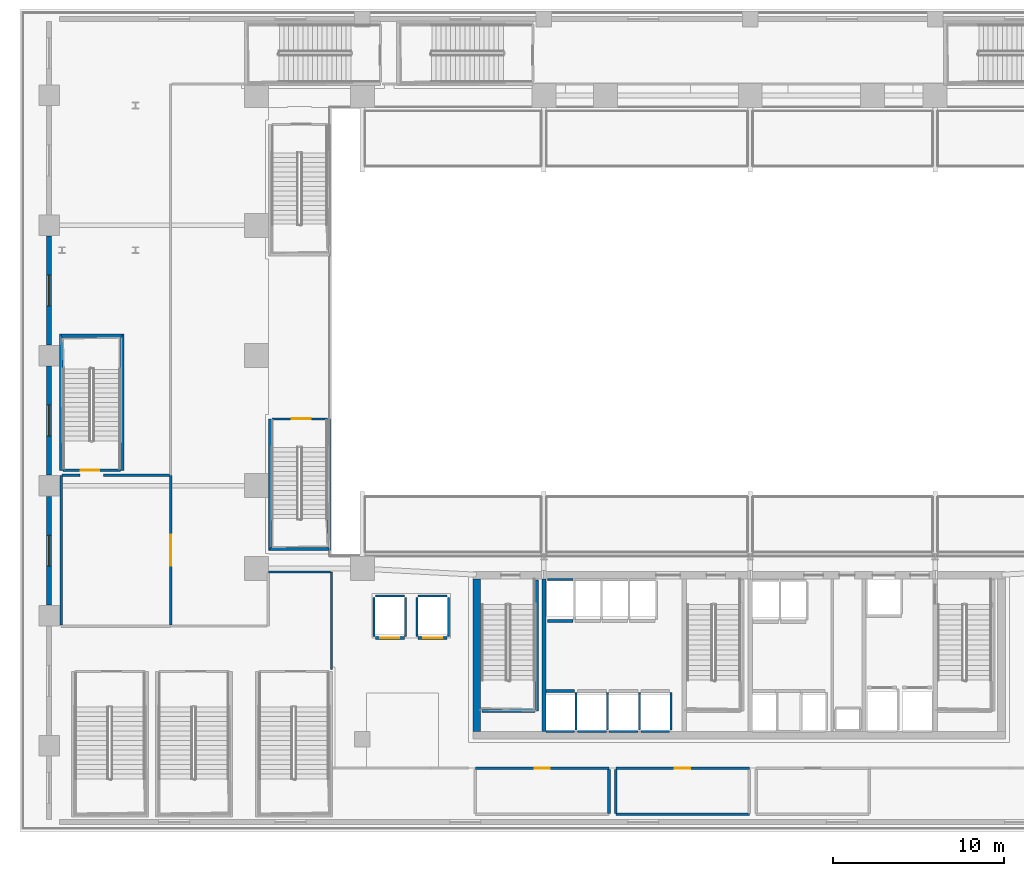
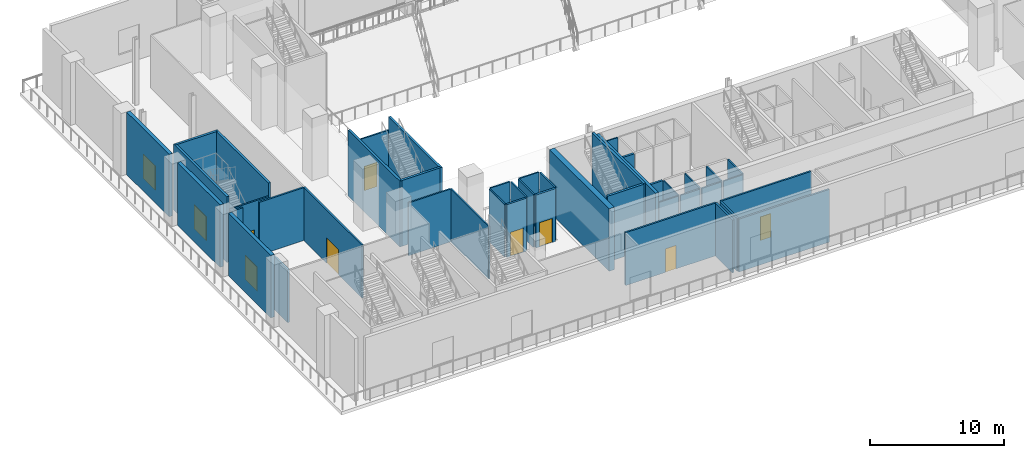
# One storey, part 7 of 30: 45 walls, 7 doors, 3 windows, 10 openings.
"""IFC4 building model written with IfcOpenShell, lengths in metres."""

from ifc_helpers import new_model, si_unit, direction, frame, frame_2d, origin, place, context, subcontext, project, spatial, rectangle, extrude, material, layer, layer_set, type_object, element, fill, save


model = new_model("IFC4")

# Units and contexts
model_context = context("Model", 3, precision=1e-05, world=origin(), true_north=direction((0.0, 1.0)))
body_context = subcontext(model_context, "Body", "Model", "MODEL_VIEW")
ifc_project = project(units=[si_unit("LENGTHUNIT", "METRE"), si_unit("AREAUNIT", "SQUARE_METRE"), si_unit("VOLUMEUNIT", "CUBIC_METRE"), si_unit("PLANEANGLEUNIT", "RADIAN"), si_unit("MASSUNIT", "GRAM", prefix="KILO")], contexts=[model_context])

# Site, building, storey
site_placement = place(None, origin())
site = spatial("IfcSite", under=ifc_project, at=site_placement, CompositionType="ELEMENT")
building_placement = place(site_placement, origin())
building = spatial("IfcBuilding", under=site, at=building_placement, Name="Ndaravel Arena Tower", CompositionType="ELEMENT")
storey_placement = place(building_placement, frame((0.0, 0.0, 6.0)))
storey = spatial("IfcBuildingStorey", under=building, at=storey_placement, Name="L01", CompositionType="ELEMENT", Elevation=6.0)

# Walls
ifc_material_1 = material(Name="Concrete C60/75", Category="concrete")
ifc_layer_1 = layer(ifc_material_1, 0.25)
ifc_layer_set_1 = layer_set([ifc_layer_1], Name="Concrete C60/75")
wall_type_1 = type_object("IfcWallType", Name="WALL-CORE-250", PredefinedType="SOLIDWALL", material=ifc_layer_set_1)
wall_1_placement = place(storey_placement, frame((30.60009765625, 5.85009765625, 0.0), z_axis=(0.0, 0.0, 1.0), x_axis=(0.0, 1.0, 0.0)))
element("IfcWall", 1, at=wall_1_placement, inside=storey, type_object=wall_type_1, Name="L01 Core Web Shear Wall 1", PredefinedType="SOLIDWALL", context=body_context, shape_type="SweptSolid", body=[
    extrude(rectangle(XDim=8.89990234375, YDim=0.25, at=frame_2d((4.449951171875, 0.0))), origin(), (0.0, 0.0, 1.0), 5.699951171875),
])
ifc_material_2 = material(Name="Concrete C60/75", Category="concrete")
ifc_layer_2 = layer(ifc_material_2, 0.449951171875)
ifc_layer_set_2 = layer_set([ifc_layer_2], Name="Concrete C60/75")
wall_type_2 = type_object("IfcWallType", Name="WALL-CORE-450", PredefinedType="SOLIDWALL", material=ifc_layer_set_2)
wall_2_placement = place(storey_placement, frame((26.675048828125, 5.85009765625, 0.0), z_axis=(0.0, 0.0, 1.0), x_axis=(0.0, 1.0, 0.0)))
element("IfcWall", 2, at=wall_2_placement, inside=storey, type_object=wall_type_2, Name="L01 Core West Shear Wall", PredefinedType="SOLIDWALL", context=body_context, shape_type="SweptSolid", body=[
    extrude(rectangle(XDim=8.89990234375, YDim=0.449951171875, at=frame_2d((4.449951171875, 0.0))), origin(), (0.0, 0.0, 1.0), 5.699951171875),
])
ifc_material_3 = material(Name="Gypsum", Category="gypsum")
ifc_layer_3 = layer(ifc_material_3, 0.125)
ifc_layer_set_3 = layer_set([ifc_layer_3], Name="Gypsum")
wall_type_3 = type_object("IfcWallType", Name="WALL-PART-125", PredefinedType="PARTITIONING", material=ifc_layer_set_3)
wall_3_placement = place(storey_placement, frame((18.199951171875, 9.469970703125, 0.0), z_axis=(0.0, 0.0, 1.0), x_axis=(0.0, 1.0, 0.0)))
element("IfcWall", 3, at=wall_3_placement, inside=storey, type_object=wall_type_3, Name="L01 Interior Partition 008", PredefinedType="PARTITIONING", context=body_context, shape_type="SweptSolid", body=[
    extrude(rectangle(XDim=5.679931640625, YDim=0.125, at=frame_2d((2.83984375, 0.0))), origin(), (0.0, 0.0, 1.0), 4.819091796875),
])
wall_4_placement = place(storey_placement, frame((18.135009765625, 15.14990234375, 0.0), z_axis=(0.0, 0.0, 1.0), x_axis=(-1.0, 0.0, 0.0)))
element("IfcWall", 4, at=wall_4_placement, inside=storey, type_object=wall_type_3, Name="L01 Interior Partition 009", PredefinedType="PARTITIONING", context=body_context, shape_type="SweptSolid", body=[
    extrude(rectangle(XDim=3.635009765625, YDim=0.125, at=frame_2d((1.8173828125, 0.0))), origin(), (0.0, 0.0, 1.0), 4.819091796875),
])

# Wall, opening, window
ifc_material_4 = material(Name="Masonry", Category="masonry")
ifc_layer_4 = layer(ifc_material_4, 0.300048828125)
ifc_layer_set_4 = layer_set([ifc_layer_4], Name="Masonry")
wall_type_4 = type_object("IfcWallType", Name="WALL-POD-MAZERAS-300", PredefinedType="SOLIDWALL", material=ifc_layer_set_4)
wall_5_placement = place(storey_placement, frame((1.699951171875, 13.219970703125, 0.0), z_axis=(0.0, 0.0, 1.0), x_axis=(0.0, 1.0, 0.0)))
wall_5 = element("IfcWall", 5, at=wall_5_placement, inside=storey, type_object=wall_type_4, Name="L01 West Mazeras Bay 3", PredefinedType="SOLIDWALL", context=body_context, shape_type="SweptSolid", body=[
    extrude(rectangle(XDim=6.360107421875, YDim=0.300048828125, at=frame_2d((3.18017578125, 0.0))), origin(), (0.0, 0.0, 1.0), 5.699951171875),
])
opening_1_placement = place(wall_5_placement, frame((2.280029296875, 0.0, 1.0)))
opening_1 = element("IfcOpeningElement", 6, at=opening_1_placement, cuts=wall_5, Name="Opening W-PD2", PredefinedType="OPENING", context=body_context, shape_type="SweptSolid", body=[
    extrude(rectangle(XDim=1.800048828125, YDim=2.199951171875, at=frame_2d((0.89990234375, 1.10009765625))), frame((0.0, 0.14990234375, 0.0), z_axis=(0.0, -1.0, 0.0), x_axis=(1.0, 0.0, 0.0)), (0.0, 0.0, 1.0), 0.300048828125),
])
ifc_material_5 = material(Name="Glazing", Category="glass")
window_type = type_object("IfcWindowType", Name="WIN-POD-1800", PartitioningType="SINGLE_PANEL", PredefinedType="WINDOW", material=ifc_material_5)
window_1_placement = place(opening_1_placement, origin())
window_1 = element("IfcWindow", 7, at=window_1_placement, inside=storey, type_object=window_type, Name="L01 West Mazeras Window 3", OverallHeight=2.199951171875, OverallWidth=1.800048828125, PartitioningType="SINGLE_PANEL", PredefinedType="WINDOW", context=body_context, shape_type="SweptSolid", body=[
    extrude(rectangle(XDim=1.800048828125, YDim=2.199951171875, at=frame_2d((0.89990234375, 1.10009765625))), frame((0.0, 0.030029296875, 0.0), z_axis=(0.0, -1.0, 0.0), x_axis=(1.0, 0.0, 0.0)), (0.0, 0.0, 1.0), 0.06005859375),
])
fill(opening_1, window_1)

wall_6_placement = place(storey_placement, frame((1.699951171875, 20.820068359375, 0.0), z_axis=(0.0, 0.0, 1.0), x_axis=(0.0, 1.0, 0.0)))
wall_6 = element("IfcWall", 8, at=wall_6_placement, inside=storey, type_object=wall_type_4, Name="L01 West Mazeras Bay 4", PredefinedType="SOLIDWALL", context=body_context, shape_type="SweptSolid", body=[
    extrude(rectangle(XDim=6.35986328125, YDim=0.300048828125, at=frame_2d((3.179931640625, 0.0))), origin(), (0.0, 0.0, 1.0), 5.699951171875),
])
opening_2_placement = place(wall_6_placement, frame((2.280029296875, 0.0, 1.0)))
opening_2 = element("IfcOpeningElement", 9, at=opening_2_placement, cuts=wall_6, Name="Opening W-PD2", PredefinedType="OPENING", context=body_context, shape_type="SweptSolid", body=[
    extrude(rectangle(XDim=1.800048828125, YDim=2.199951171875, at=frame_2d((0.89990234375, 1.10009765625))), frame((0.0, 0.14990234375, 0.0), z_axis=(0.0, -1.0, 0.0), x_axis=(1.0, 0.0, 0.0)), (0.0, 0.0, 1.0), 0.300048828125),
])
window_2_placement = place(opening_2_placement, origin())
window_2 = element("IfcWindow", 10, at=window_2_placement, inside=storey, type_object=window_type, Name="L01 West Mazeras Window 4", OverallHeight=2.199951171875, OverallWidth=1.800048828125, PartitioningType="SINGLE_PANEL", PredefinedType="WINDOW", context=body_context, shape_type="SweptSolid", body=[
    extrude(rectangle(XDim=1.800048828125, YDim=2.199951171875, at=frame_2d((0.89990234375, 1.10009765625))), frame((0.0, 0.030029296875, 0.0), z_axis=(0.0, -1.0, 0.0), x_axis=(1.0, 0.0, 0.0)), (0.0, 0.0, 1.0), 0.06005859375),
])
fill(opening_2, window_2)

wall_7_placement = place(storey_placement, frame((1.699951171875, 28.419921875, 0.0), z_axis=(0.0, 0.0, 1.0), x_axis=(0.0, 1.0, 0.0)))
wall_7 = element("IfcWall", 11, at=wall_7_placement, inside=storey, type_object=wall_type_4, Name="L01 West Mazeras Bay 5", PredefinedType="SOLIDWALL", context=body_context, shape_type="SweptSolid", body=[
    extrude(rectangle(XDim=6.360107421875, YDim=0.300048828125, at=frame_2d((3.18017578125, 0.0))), origin(), (0.0, 0.0, 1.0), 5.699951171875),
])
opening_3_placement = place(wall_7_placement, frame((2.280029296875, 0.0, 1.0)))
opening_3 = element("IfcOpeningElement", 12, at=opening_3_placement, cuts=wall_7, Name="Opening W-PD2", PredefinedType="OPENING", context=body_context, shape_type="SweptSolid", body=[
    extrude(rectangle(XDim=1.800048828125, YDim=2.199951171875, at=frame_2d((0.89990234375, 1.10009765625))), frame((0.0, 0.14990234375, 0.0), z_axis=(0.0, -1.0, 0.0), x_axis=(1.0, 0.0, 0.0)), (0.0, 0.0, 1.0), 0.300048828125),
])
window_3_placement = place(opening_3_placement, origin())
window_3 = element("IfcWindow", 13, at=window_3_placement, inside=storey, type_object=window_type, Name="L01 West Mazeras Window 5", OverallHeight=2.199951171875, OverallWidth=1.800048828125, PartitioningType="SINGLE_PANEL", PredefinedType="WINDOW", context=body_context, shape_type="SweptSolid", body=[
    extrude(rectangle(XDim=1.800048828125, YDim=2.199951171875, at=frame_2d((0.89990234375, 1.10009765625))), frame((0.0, 0.030029296875, 0.0), z_axis=(0.0, -1.0, 0.0), x_axis=(1.0, 0.0, 0.0)), (0.0, 0.0, 1.0), 0.06005859375),
])
fill(opening_3, window_3)

# Wall, opening, door
ifc_material_6 = material(Name="Concrete C40/50", Category="concrete")
ifc_layer_5 = layer(ifc_material_6, 0.1201171875)
ifc_layer_set_5 = layer_set([ifc_layer_5], Name="Concrete C40/50")
wall_type_5 = type_object("IfcWallType", Name="WALL-SHAFT-120", PredefinedType="SOLIDWALL", material=ifc_layer_set_5)
wall_8_placement = place(storey_placement, frame((5.875, 21.10009765625, 0.0), z_axis=(0.0, 0.0, 1.0), x_axis=(-1.0, 0.0, 0.0)))
wall_8 = element("IfcWall", 14, at=wall_8_placement, inside=storey, type_object=wall_type_5, Name="L01 ST-A07 Entry Wall", PredefinedType="SOLIDWALL", context=body_context, shape_type="SweptSolid", body=[
    extrude(rectangle(XDim=3.3701171875, YDim=0.1201171875, at=frame_2d((1.68505859375, 0.0))), origin(), (0.0, 0.0, 1.0), 4.819091796875),
])
opening_4_placement = place(wall_8_placement, frame((1.239990234375, 0.0, 0.0)))
opening_4 = element("IfcOpeningElement", 15, at=opening_4_placement, cuts=wall_8, Name="Opening FD-01", PredefinedType="OPENING", context=body_context, shape_type="SweptSolid", body=[
    extrude(rectangle(XDim=1.10009765625, YDim=2.199951171875, at=frame_2d((0.550048828125, 1.10009765625))), frame((0.0, 0.06005859375, 0.0), z_axis=(0.0, -1.0, 0.0), x_axis=(1.0, 0.0, 0.0)), (0.0, 0.0, 1.0), 0.1201171875),
])
ifc_material_7 = material(Name="Steel S355", Category="steel")
door_type_1 = type_object("IfcDoorType", Name="DT-01-STAIR-1100", OperationType="SINGLE_SWING_LEFT", PredefinedType="DOOR", material=ifc_material_7)
door_1_placement = place(opening_4_placement, origin())
door_1 = element("IfcDoor", 16, at=door_1_placement, inside=storey, type_object=door_type_1, Name="L01 ST-A07 Fire Exit Stair Door", OperationType="SINGLE_SWING_RIGHT", OverallHeight=2.199951171875, OverallWidth=1.10009765625, PredefinedType="DOOR", context=body_context, shape_type="SweptSolid", body=[
    extrude(rectangle(XDim=1.10009765625, YDim=2.199951171875, at=frame_2d((0.550048828125, 1.10009765625))), frame((0.0, 0.02490234375, 0.0), z_axis=(0.0, -1.0, 0.0), x_axis=(1.0, 0.0, 0.0)), (0.0, 0.0, 1.0), 0.050048828125),
])
fill(opening_4, door_1)

wall_9_placement = place(storey_placement, frame((14.705078125, 24.10009765625, 0.0), z_axis=(0.0, 0.0, 1.0), x_axis=(1.0, 0.0, 0.0)))
wall_9 = element("IfcWall", 17, at=wall_9_placement, inside=storey, type_object=wall_type_5, Name="L01 ST-VOM-1 Entry Wall", PredefinedType="SOLIDWALL", context=body_context, shape_type="SweptSolid", body=[
    extrude(rectangle(XDim=3.25, YDim=0.1201171875, at=frame_2d((1.625, 0.0))), origin(), (0.0, 0.0, 1.0), 4.819091796875),
])
opening_5_placement = place(wall_9_placement, frame((1.179931640625, 0.0, 0.0)))
opening_5 = element("IfcOpeningElement", 18, at=opening_5_placement, cuts=wall_9, Name="Opening FD-01", PredefinedType="OPENING", context=body_context, shape_type="SweptSolid", body=[
    extrude(rectangle(XDim=1.10009765625, YDim=2.199951171875, at=frame_2d((0.550048828125, 1.10009765625))), frame((0.0, 0.06005859375, 0.0), z_axis=(0.0, -1.0, 0.0), x_axis=(1.0, 0.0, 0.0)), (0.0, 0.0, 1.0), 0.1201171875),
])
door_2_placement = place(opening_5_placement, origin())
door_2 = element("IfcDoor", 19, at=door_2_placement, inside=storey, type_object=door_type_1, Name="L01 ST-VOM-1 Fire Exit Stair Door", OperationType="SINGLE_SWING_RIGHT", OverallHeight=2.199951171875, OverallWidth=1.10009765625, PredefinedType="DOOR", context=body_context, shape_type="SweptSolid", body=[
    extrude(rectangle(XDim=1.10009765625, YDim=2.199951171875, at=frame_2d((0.550048828125, 1.10009765625))), frame((0.0, 0.02490234375, 0.0), z_axis=(0.0, -1.0, 0.0), x_axis=(1.0, 0.0, 0.0)), (0.0, 0.0, 1.0), 0.050048828125),
])
fill(opening_5, door_2)

# Walls
wall_10_placement = place(storey_placement, frame((30.72998046875, 5.840087890625, 0.0), z_axis=(0.0, 0.0, 1.0), x_axis=(1.0, 0.0, 0.0)))
element("IfcWall", 20, at=wall_10_placement, inside=storey, type_object=wall_type_5, Name="L01 PL-L1 Shaft Rear Wall", PredefinedType="SOLIDWALL", context=body_context, shape_type="SweptSolid", body=[
    extrude(rectangle(XDim=1.6650390625, YDim=0.1201171875, at=frame_2d((0.83251953125, 0.0))), origin(), (0.0, 0.0, 1.0), 4.819091796875),
])
wall_11_placement = place(storey_placement, frame((32.47509765625, 5.929931640625, 0.0), z_axis=(0.0, 0.0, 1.0), x_axis=(0.0, 1.0, 0.0)))
element("IfcWall", 21, at=wall_11_placement, inside=storey, type_object=wall_type_5, Name="L01 PL-L1 Shaft Side R Wall", PredefinedType="SOLIDWALL", context=body_context, shape_type="SweptSolid", body=[
    extrude(rectangle(XDim=2.18017578125, YDim=0.1201171875, at=frame_2d((1.090087890625, 0.0))), origin(), (0.0, 0.0, 1.0), 4.819091796875),
])
wall_12_placement = place(storey_placement, frame((32.554931640625, 5.840087890625, 0.0), z_axis=(0.0, 0.0, 1.0), x_axis=(1.0, 0.0, 0.0)))
element("IfcWall", 22, at=wall_12_placement, inside=storey, type_object=wall_type_5, Name="L01 PL-L2 Shaft Rear Wall", PredefinedType="SOLIDWALL", context=body_context, shape_type="SweptSolid", body=[
    extrude(rectangle(XDim=1.690185546875, YDim=0.1201171875, at=frame_2d((0.84521484375, 0.0))), origin(), (0.0, 0.0, 1.0), 4.819091796875),
])
wall_13_placement = place(storey_placement, frame((34.324951171875, 5.929931640625, 0.0), z_axis=(0.0, 0.0, 1.0), x_axis=(0.0, 1.0, 0.0)))
element("IfcWall", 23, at=wall_13_placement, inside=storey, type_object=wall_type_5, Name="L01 PL-L2 Shaft Side R Wall", PredefinedType="SOLIDWALL", context=body_context, shape_type="SweptSolid", body=[
    extrude(rectangle(XDim=2.18017578125, YDim=0.1201171875, at=frame_2d((1.090087890625, 0.0))), origin(), (0.0, 0.0, 1.0), 4.819091796875),
])
wall_14_placement = place(storey_placement, frame((34.405029296875, 5.840087890625, 0.0), z_axis=(0.0, 0.0, 1.0), x_axis=(1.0, 0.0, 0.0)))
element("IfcWall", 24, at=wall_14_placement, inside=storey, type_object=wall_type_5, Name="L01 PL-L3 Shaft Rear Wall", PredefinedType="SOLIDWALL", context=body_context, shape_type="SweptSolid", body=[
    extrude(rectangle(XDim=1.68994140625, YDim=0.1201171875, at=frame_2d((0.844970703125, 0.0))), origin(), (0.0, 0.0, 1.0), 4.819091796875),
])
wall_15_placement = place(storey_placement, frame((36.175048828125, 5.929931640625, 0.0), z_axis=(0.0, 0.0, 1.0), x_axis=(0.0, 1.0, 0.0)))
element("IfcWall", 25, at=wall_15_placement, inside=storey, type_object=wall_type_5, Name="L01 PL-L3 Shaft Side R Wall", PredefinedType="SOLIDWALL", context=body_context, shape_type="SweptSolid", body=[
    extrude(rectangle(XDim=2.18017578125, YDim=0.1201171875, at=frame_2d((1.090087890625, 0.0))), origin(), (0.0, 0.0, 1.0), 4.819091796875),
])
wall_16_placement = place(storey_placement, frame((36.2548828125, 5.840087890625, 0.0), z_axis=(0.0, 0.0, 1.0), x_axis=(1.0, 0.0, 0.0)))
element("IfcWall", 26, at=wall_16_placement, inside=storey, type_object=wall_type_5, Name="L01 PL-L4 Shaft Rear Wall", PredefinedType="SOLIDWALL", context=body_context, shape_type="SweptSolid", body=[
    extrude(rectangle(XDim=1.690185546875, YDim=0.1201171875, at=frame_2d((0.84521484375, 0.0))), origin(), (0.0, 0.0, 1.0), 4.819091796875),
])
wall_17_placement = place(storey_placement, frame((38.02490234375, 5.929931640625, 0.0), z_axis=(0.0, 0.0, 1.0), x_axis=(0.0, 1.0, 0.0)))
element("IfcWall", 27, at=wall_17_placement, inside=storey, type_object=wall_type_5, Name="L01 PL-L4 Shaft Side R Wall", PredefinedType="SOLIDWALL", context=body_context, shape_type="SweptSolid", body=[
    extrude(rectangle(XDim=2.18017578125, YDim=0.1201171875, at=frame_2d((1.090087890625, 0.0))), origin(), (0.0, 0.0, 1.0), 4.819091796875),
])
wall_18_placement = place(storey_placement, frame((30.804931640625, 14.7099609375, 0.0), z_axis=(0.0, 0.0, 1.0), x_axis=(1.0, 0.0, 0.0)))
element("IfcWall", 28, at=wall_18_placement, inside=storey, type_object=wall_type_5, Name="L01 PL-M1 Shaft Rear Wall", PredefinedType="SOLIDWALL", context=body_context, shape_type="SweptSolid", body=[
    extrude(rectangle(XDim=1.489990234375, YDim=0.1201171875, at=frame_2d((0.7451171875, 0.0))), origin(), (0.0, 0.0, 1.0), 4.819091796875),
])
wall_19_placement = place(storey_placement, frame((20.7548828125, 13.760009765625, 0.0), z_axis=(0.0, 0.0, 1.0), x_axis=(1.0, 0.0, 0.0)))
element("IfcWall", 29, at=wall_19_placement, inside=storey, type_object=wall_type_5, Name="L01 PL-A1 Shaft Rear Wall", PredefinedType="SOLIDWALL", context=body_context, shape_type="SweptSolid", body=[
    extrude(rectangle(XDim=1.690185546875, YDim=0.1201171875, at=frame_2d((0.84521484375, 0.0))), origin(), (0.0, 0.0, 1.0), 4.819091796875),
])
for number, where, z_axis, x_axis, name in (
    (30, (20.675048828125, 11.389892578125, 0.0), (0.0, 0.0, 1.0), (0.0, 1.0, 0.0), "L01 PL-A1 Shaft Side L Wall"),
    (31, (22.52490234375, 11.389892578125, 0.0), (0.0, 0.0, 1.0), (0.0, 1.0, 0.0), "L01 PL-A1 Shaft Side R Wall"),
):
    element("IfcWall", number, at=place(storey_placement, frame(where, z_axis=z_axis, x_axis=x_axis)), inside=storey, type_object=wall_type_5, Name=name, PredefinedType="SOLIDWALL", context=body_context, shape_type="SweptSolid", body=[
        extrude(rectangle(XDim=2.280029296875, YDim=0.1201171875, at=frame_2d((1.14013671875, 0.0))), origin(), (0.0, 0.0, 1.0), 4.819091796875),
    ])
wall_20_placement = place(storey_placement, frame((23.2548828125, 13.760009765625, 0.0), z_axis=(0.0, 0.0, 1.0), x_axis=(1.0, 0.0, 0.0)))
element("IfcWall", 32, at=wall_20_placement, inside=storey, type_object=wall_type_5, Name="L01 PL-A2 Shaft Rear Wall", PredefinedType="SOLIDWALL", context=body_context, shape_type="SweptSolid", body=[
    extrude(rectangle(XDim=1.690185546875, YDim=0.1201171875, at=frame_2d((0.84521484375, 0.0))), origin(), (0.0, 0.0, 1.0), 4.819091796875),
])
for number, where, z_axis, x_axis, name in (
    (33, (23.175048828125, 11.389892578125, 0.0), (0.0, 0.0, 1.0), (0.0, 1.0, 0.0), "L01 PL-A2 Shaft Side L Wall"),
    (34, (25.02490234375, 11.389892578125, 0.0), (0.0, 0.0, 1.0), (0.0, 1.0, 0.0), "L01 PL-A2 Shaft Side R Wall"),
):
    element("IfcWall", number, at=place(storey_placement, frame(where, z_axis=z_axis, x_axis=x_axis)), inside=storey, type_object=wall_type_5, Name=name, PredefinedType="SOLIDWALL", context=body_context, shape_type="SweptSolid", body=[
        extrude(rectangle(XDim=2.280029296875, YDim=0.1201171875, at=frame_2d((1.14013671875, 0.0))), origin(), (0.0, 0.0, 1.0), 4.819091796875),
    ])
ifc_material_8 = material(Name="Concrete C40/50", Category="concrete")
ifc_layer_6 = layer(ifc_material_8, 0.199951171875)
ifc_layer_set_6 = layer_set([ifc_layer_6], Name="Concrete C40/50")
wall_type_6 = type_object("IfcWallType", Name="WALL-SHAFT-200", PredefinedType="SOLIDWALL", material=ifc_layer_set_6)
wall_21_placement = place(storey_placement, frame((30.18994140625, 14.699951171875, 0.0), z_axis=(0.0, 0.0, 1.0), x_axis=(0.0, -1.0, 0.0)))
element("IfcWall", 35, at=wall_21_placement, inside=storey, type_object=wall_type_6, Name="L01 ST-1 Structural Shaft Wall Right", PredefinedType="SOLIDWALL", context=body_context, shape_type="SweptSolid", body=[
    extrude(rectangle(XDim=7.64990234375, YDim=0.199951171875, at=frame_2d((3.824951171875, 0.0))), origin(), (0.0, 0.0, 1.0), 6.0),
])
wall_22_placement = place(storey_placement, frame((26.969970703125, 7.050048828125, 0.0), z_axis=(0.0, 0.0, 1.0), x_axis=(1.0, 0.0, 0.0)))
element("IfcWall", 36, at=wall_22_placement, inside=storey, type_object=wall_type_6, Name="L01 ST-1 Structural Shaft Wall Far", PredefinedType="SOLIDWALL", context=body_context, shape_type="SweptSolid", body=[
    extrude(rectangle(XDim=3.114990234375, YDim=0.199951171875, at=frame_2d((1.5576171875, 0.0))), origin(), (0.0, 0.0, 1.0), 6.0),
])
for number, where, z_axis, x_axis, name in (
    (37, (5.97998046875, 21.10009765625, 0.0), (0.0, 0.0, 1.0), (0.0, 1.0, 0.0), "L01 ST-A07 Shaft Wall Left"),
    (38, (2.39990234375, 21.10009765625, 0.0), (0.0, 0.0, 1.0), (0.0, 1.0, 0.0), "L01 ST-A07 Shaft Wall Right"),
):
    element("IfcWall", number, at=place(storey_placement, frame(where, z_axis=z_axis, x_axis=x_axis)), inside=storey, type_object=wall_type_6, Name=name, PredefinedType="SOLIDWALL", context=body_context, shape_type="SweptSolid", body=[
        extrude(rectangle(XDim=7.949951171875, YDim=0.199951171875, at=frame_2d((3.97509765625, 0.0))), origin(), (0.0, 0.0, 1.0), 6.0),
    ])
wall_23_placement = place(storey_placement, frame((5.969970703125, 28.949951171875, 0.0), z_axis=(0.0, 0.0, 1.0), x_axis=(-1.0, 0.0, 0.0)))
element("IfcWall", 39, at=wall_23_placement, inside=storey, type_object=wall_type_6, Name="L01 ST-A07 Shaft Wall Far", PredefinedType="SOLIDWALL", context=body_context, shape_type="SweptSolid", body=[
    extrude(rectangle(XDim=3.56005859375, YDim=0.199951171875, at=frame_2d((1.780029296875, 0.0))), origin(), (0.0, 0.0, 1.0), 6.0),
])
for number, where, z_axis, x_axis, name in (
    (40, (14.60009765625, 24.10009765625, 0.0), (0.0, 0.0, 1.0), (0.0, -1.0, 0.0), "L01 ST-VOM-1 Shaft Wall Left"),
    (41, (18.06005859375, 24.10009765625, 0.0), (0.0, 0.0, 1.0), (0.0, -1.0, 0.0), "L01 ST-VOM-1 Shaft Wall Right"),
):
    element("IfcWall", number, at=place(storey_placement, frame(where, z_axis=z_axis, x_axis=x_axis)), inside=storey, type_object=wall_type_6, Name=name, PredefinedType="SOLIDWALL", context=body_context, shape_type="SweptSolid", body=[
        extrude(rectangle(XDim=7.7001953125, YDim=0.199951171875, at=frame_2d((3.85009765625, 0.0))), origin(), (0.0, 0.0, 1.0), 6.0),
    ])
wall_24_placement = place(storey_placement, frame((14.610107421875, 16.5, 0.0), z_axis=(0.0, 0.0, 1.0), x_axis=(1.0, 0.0, 0.0)))
element("IfcWall", 42, at=wall_24_placement, inside=storey, type_object=wall_type_6, Name="L01 ST-VOM-1 Shaft Wall Far", PredefinedType="SOLIDWALL", context=body_context, shape_type="SweptSolid", body=[
    extrude(rectangle(XDim=3.43994140625, YDim=0.199951171875, at=frame_2d((1.719970703125, 0.0))), origin(), (0.0, 0.0, 1.0), 6.0),
])
wall_25_placement = place(storey_placement, frame((30.72998046875, 8.199951171875, 0.0), z_axis=(0.0, 0.0, 1.0), x_axis=(1.0, 0.0, 0.0)))
element("IfcWall", 43, at=wall_25_placement, inside=storey, type_object=wall_type_6, Name="L01 PL-L1 Shaft Landing Wall", PredefinedType="SOLIDWALL", context=body_context, shape_type="SweptSolid", body=[
    extrude(rectangle(XDim=1.6650390625, YDim=0.179931640625, at=frame_2d((0.83251953125, 0.0))), origin(), (0.0, 0.0, 1.0), 4.819091796875),
])
wall_26_placement = place(storey_placement, frame((30.804931640625, 12.300048828125, 0.0), z_axis=(0.0, 0.0, 1.0), x_axis=(1.0, 0.0, 0.0)))
element("IfcWall", 44, at=wall_26_placement, inside=storey, type_object=wall_type_6, Name="L01 PL-M1 Shaft Landing Wall", PredefinedType="SOLIDWALL", context=body_context, shape_type="SweptSolid", body=[
    extrude(rectangle(XDim=1.489990234375, YDim=0.179931640625, at=frame_2d((0.7451171875, 0.0))), origin(), (0.0, 0.0, 1.0), 4.819091796875),
])

# Wall, opening, door
wall_27_placement = place(storey_placement, frame((20.7548828125, 11.300048828125, 0.0), z_axis=(0.0, 0.0, 1.0), x_axis=(1.0, 0.0, 0.0)))
wall_27 = element("IfcWall", 45, at=wall_27_placement, inside=storey, type_object=wall_type_6, Name="L01 PL-A1 Shaft Landing Wall", PredefinedType="SOLIDWALL", context=body_context, shape_type="SweptSolid", body=[
    extrude(rectangle(XDim=1.690185546875, YDim=0.179931640625, at=frame_2d((0.84521484375, 0.0))), origin(), (0.0, 0.0, 1.0), 4.819091796875),
])
opening_6_placement = place(wall_27_placement, frame((0.294921875, 0.0, 0.0)))
opening_6 = element("IfcOpeningElement", 46, at=opening_6_placement, cuts=wall_27, Name="Opening LD-01", PredefinedType="OPENING", context=body_context, shape_type="SweptSolid", body=[
    extrude(rectangle(XDim=1.10009765625, YDim=2.199951171875, at=frame_2d((0.550048828125, 1.10009765625))), frame((0.0, 0.08984375, 0.0), z_axis=(0.0, -1.0, 0.0), x_axis=(1.0, 0.0, 0.0)), (0.0, 0.0, 1.0), 0.179931640625),
])
ifc_material_9 = material(Name="Steel S355", Category="steel")
door_type_2 = type_object("IfcDoorType", Name="DT-06-LIFT-1100", OperationType="SLIDING_TO_LEFT", PredefinedType="DOOR", material=ifc_material_9)
door_3_placement = place(opening_6_placement, origin())
door_3 = element("IfcDoor", 47, at=door_3_placement, inside=storey, type_object=door_type_2, Name="L01 Lift PL-A1 Sliding Landing Door", OperationType="SLIDING_TO_LEFT", OverallHeight=2.199951171875, OverallWidth=1.10009765625, PredefinedType="DOOR", context=body_context, shape_type="SweptSolid", body=[
    extrude(rectangle(XDim=1.10009765625, YDim=2.199951171875, at=frame_2d((0.550048828125, 1.10009765625))), frame((0.0, 0.02490234375, 0.0), z_axis=(0.0, -1.0, 0.0), x_axis=(1.0, 0.0, 0.0)), (0.0, 0.0, 1.0), 0.050048828125),
])
fill(opening_6, door_3)

wall_28_placement = place(storey_placement, frame((23.2548828125, 11.300048828125, 0.0), z_axis=(0.0, 0.0, 1.0), x_axis=(1.0, 0.0, 0.0)))
wall_28 = element("IfcWall", 48, at=wall_28_placement, inside=storey, type_object=wall_type_6, Name="L01 PL-A2 Shaft Landing Wall", PredefinedType="SOLIDWALL", context=body_context, shape_type="SweptSolid", body=[
    extrude(rectangle(XDim=1.690185546875, YDim=0.179931640625, at=frame_2d((0.84521484375, 0.0))), origin(), (0.0, 0.0, 1.0), 4.819091796875),
])
opening_7_placement = place(wall_28_placement, frame((0.294921875, 0.0, 0.0)))
opening_7 = element("IfcOpeningElement", 49, at=opening_7_placement, cuts=wall_28, Name="Opening LD-01", PredefinedType="OPENING", context=body_context, shape_type="SweptSolid", body=[
    extrude(rectangle(XDim=1.10009765625, YDim=2.199951171875, at=frame_2d((0.550048828125, 1.10009765625))), frame((0.0, 0.08984375, 0.0), z_axis=(0.0, -1.0, 0.0), x_axis=(1.0, 0.0, 0.0)), (0.0, 0.0, 1.0), 0.179931640625),
])
door_4_placement = place(opening_7_placement, origin())
door_4 = element("IfcDoor", 50, at=door_4_placement, inside=storey, type_object=door_type_2, Name="L01 Lift PL-A2 Sliding Landing Door", OperationType="SLIDING_TO_LEFT", OverallHeight=2.199951171875, OverallWidth=1.10009765625, PredefinedType="DOOR", context=body_context, shape_type="SweptSolid", body=[
    extrude(rectangle(XDim=1.10009765625, YDim=2.199951171875, at=frame_2d((0.550048828125, 1.10009765625))), frame((0.0, 0.02490234375, 0.0), z_axis=(0.0, -1.0, 0.0), x_axis=(1.0, 0.0, 0.0)), (0.0, 0.0, 1.0), 0.050048828125),
])
fill(opening_7, door_4)

ifc_material_10 = material(Name="Masonry", Category="masonry")
ifc_layer_7 = layer(ifc_material_10, 0.14990234375)
ifc_layer_set_7 = layer_set([ifc_layer_7], Name="Masonry")
wall_type_7 = type_object("IfcWallType", Name="WALL-WET-150", PredefinedType="PARTITIONING", material=ifc_layer_set_7)
wall_29_placement = place(storey_placement, frame((42.60009765625, 3.699951171875, 0.0), z_axis=(0.0, 0.0, 1.0), x_axis=(-1.0, 0.0, 0.0)))
wall_29 = element("IfcWall", 51, at=wall_29_placement, inside=storey, type_object=wall_type_7, Name="L01 Interior Partition 004", PredefinedType="PARTITIONING", context=body_context, shape_type="SweptSolid", body=[
    extrude(rectangle(XDim=7.800048828125, YDim=0.14990234375, at=frame_2d((3.89990234375, 0.0))), origin(), (0.0, 0.0, 1.0), 4.819091796875),
])
opening_8_placement = place(wall_29_placement, frame((3.449951171875, 0.0, 0.0)))
opening_8 = element("IfcOpeningElement", 52, at=opening_8_placement, cuts=wall_29, Name="Opening WD-01", PredefinedType="OPENING", context=body_context, shape_type="SweptSolid", body=[
    extrude(rectangle(XDim=0.89990234375, YDim=2.14990234375, at=frame_2d((0.449951171875, 1.074951171875))), frame((0.0, 0.074951171875, 0.0), z_axis=(0.0, -1.0, 0.0), x_axis=(1.0, 0.0, 0.0)), (0.0, 0.0, 1.0), 0.14990234375),
])
ifc_material_11 = material(Name="Timber", Category="wood")
door_type_3 = type_object("IfcDoorType", Name="DT-05-WC-900", OperationType="SINGLE_SWING_LEFT", PredefinedType="DOOR", material=ifc_material_11)
door_5_placement = place(opening_8_placement, origin())
door_5 = element("IfcDoor", 53, at=door_5_placement, inside=storey, type_object=door_type_3, Name="L01 Concourse Female Restroom Door", OperationType="SINGLE_SWING_LEFT", OverallHeight=2.14990234375, OverallWidth=0.89990234375, PredefinedType="DOOR", context=body_context, shape_type="SweptSolid", body=[
    extrude(rectangle(XDim=0.89990234375, YDim=2.14990234375, at=frame_2d((0.449951171875, 1.074951171875))), frame((0.0, 0.02490234375, 0.0), z_axis=(0.0, -1.0, 0.0), x_axis=(1.0, 0.0, 0.0)), (0.0, 0.0, 1.0), 0.050048828125),
])
fill(opening_8, door_5)

wall_30_placement = place(storey_placement, frame((34.39990234375, 3.699951171875, 0.0), z_axis=(0.0, 0.0, 1.0), x_axis=(-1.0, 0.0, 0.0)))
wall_30 = element("IfcWall", 54, at=wall_30_placement, inside=storey, type_object=wall_type_7, Name="L01 Interior Partition 005", PredefinedType="PARTITIONING", context=body_context, shape_type="SweptSolid", body=[
    extrude(rectangle(XDim=7.7998046875, YDim=0.14990234375, at=frame_2d((3.89990234375, 0.0))), origin(), (0.0, 0.0, 1.0), 4.819091796875),
])
opening_9_placement = place(wall_30_placement, frame((3.449951171875, 0.0, 0.0)))
opening_9 = element("IfcOpeningElement", 55, at=opening_9_placement, cuts=wall_30, Name="Opening WD-01", PredefinedType="OPENING", context=body_context, shape_type="SweptSolid", body=[
    extrude(rectangle(XDim=0.89990234375, YDim=2.14990234375, at=frame_2d((0.449951171875, 1.074951171875))), frame((0.0, 0.074951171875, 0.0), z_axis=(0.0, -1.0, 0.0), x_axis=(1.0, 0.0, 0.0)), (0.0, 0.0, 1.0), 0.14990234375),
])
door_6_placement = place(opening_9_placement, origin())
door_6 = element("IfcDoor", 56, at=door_6_placement, inside=storey, type_object=door_type_3, Name="L01 Concourse Male Restroom Door", OperationType="SINGLE_SWING_RIGHT", OverallHeight=2.14990234375, OverallWidth=0.89990234375, PredefinedType="DOOR", context=body_context, shape_type="SweptSolid", body=[
    extrude(rectangle(XDim=0.89990234375, YDim=2.14990234375, at=frame_2d((0.449951171875, 1.074951171875))), frame((0.0, 0.02490234375, 0.0), z_axis=(0.0, -1.0, 0.0), x_axis=(1.0, 0.0, 0.0)), (0.0, 0.0, 1.0), 0.050048828125),
])
fill(opening_9, door_6)

wall_31_placement = place(storey_placement, frame((8.800048828125, 12.06494140625, 0.0), z_axis=(0.0, 0.0, 1.0), x_axis=(0.0, 1.0, 0.0)))
wall_31 = element("IfcWall", 57, at=wall_31_placement, inside=storey, type_object=wall_type_7, Name="L01 Interior Partition 012", PredefinedType="PARTITIONING", context=body_context, shape_type="SweptSolid", body=[
    extrude(rectangle(XDim=8.735107421875, YDim=0.14990234375, at=frame_2d((4.36767578125, 0.0))), origin(), (0.0, 0.0, 1.0), 4.819091796875),
])
opening_10_placement = place(wall_31_placement, frame((3.467529296875, 0.0, 0.0)))
opening_10 = element("IfcOpeningElement", 58, at=opening_10_placement, cuts=wall_31, Name="Opening AD-01", PredefinedType="OPENING", context=body_context, shape_type="SweptSolid", body=[
    extrude(rectangle(XDim=1.800048828125, YDim=2.300048828125, at=frame_2d((0.89990234375, 1.14990234375))), frame((0.0, 0.074951171875, 0.0), z_axis=(0.0, -1.0, 0.0), x_axis=(1.0, 0.0, 0.0)), (0.0, 0.0, 1.0), 0.14990234375),
])
ifc_material_12 = material(Name="Steel S355", Category="steel")
door_type_4 = type_object("IfcDoorType", Name="DT-10-ARENA-1800", OperationType="DOUBLE_DOOR_SINGLE_SWING", PredefinedType="DOOR", material=ifc_material_12)
door_7_placement = place(opening_10_placement, origin())
door_7 = element("IfcDoor", 59, at=door_7_placement, inside=storey, type_object=door_type_4, Name="L01 West Spectator Concession & Kitchen Door", OperationType="SINGLE_SWING_RIGHT", OverallHeight=2.300048828125, OverallWidth=1.800048828125, PredefinedType="DOOR", context=body_context, shape_type="SweptSolid", body=[
    extrude(rectangle(XDim=1.800048828125, YDim=2.300048828125, at=frame_2d((0.89990234375, 1.14990234375))), frame((0.0, 0.02490234375, 0.0), z_axis=(0.0, -1.0, 0.0), x_axis=(1.0, 0.0, 0.0)), (0.0, 0.0, 1.0), 0.050048828125),
])
fill(opening_10, door_7)

# Walls
wall_32_placement = place(storey_placement, frame((2.39990234375, 12.06494140625, 0.0), z_axis=(0.0, 0.0, 1.0), x_axis=(0.0, 1.0, 0.0)))
element("IfcWall", 60, at=wall_32_placement, inside=storey, type_object=wall_type_7, Name="L01 Interior Partition 027", PredefinedType="PARTITIONING", context=body_context, shape_type="SweptSolid", body=[
    extrude(rectangle(XDim=8.735107421875, YDim=0.14990234375, at=frame_2d((4.36767578125, 0.0))), origin(), (0.0, 0.0, 1.0), 4.819091796875),
])
wall_33_placement = place(storey_placement, frame((2.465087890625, 20.800048828125, 0.0), z_axis=(0.0, 0.0, 1.0), x_axis=(1.0, 0.0, 0.0)))
element("IfcWall", 61, at=wall_33_placement, inside=storey, type_object=wall_type_7, Name="L01 Interior Partition 028", PredefinedType="PARTITIONING", context=body_context, shape_type="SweptSolid", body=[
    extrude(rectangle(XDim=1.02490234375, YDim=0.14990234375, at=frame_2d((0.512451171875, 0.0))), origin(), (0.0, 0.0, 1.0), 4.819091796875),
])
wall_34_placement = place(storey_placement, frame((4.889892578125, 20.800048828125, 0.0), z_axis=(0.0, 0.0, 1.0), x_axis=(1.0, 0.0, 0.0)))
element("IfcWall", 62, at=wall_34_placement, inside=storey, type_object=wall_type_7, Name="L01 Interior Partition 029", PredefinedType="PARTITIONING", context=body_context, shape_type="SweptSolid", body=[
    extrude(rectangle(XDim=3.84521484375, YDim=0.14990234375, at=frame_2d((1.922607421875, 0.0))), origin(), (0.0, 0.0, 1.0), 4.819091796875),
])
wall_35_placement = place(storey_placement, frame((34.39990234375, 3.635009765625, 0.0), z_axis=(0.0, 0.0, 1.0), x_axis=(0.0, -1.0, 0.0)))
element("IfcWall", 63, at=wall_35_placement, inside=storey, type_object=wall_type_7, Name="L01 Interior Partition 035", PredefinedType="PARTITIONING", context=body_context, shape_type="SweptSolid", body=[
    extrude(rectangle(XDim=2.570068359375, YDim=0.14990234375, at=frame_2d((1.28515625, 0.0))), origin(), (0.0, 0.0, 1.0), 4.819091796875),
])
wall_36_placement = place(storey_placement, frame((42.60009765625, 1.0, 0.0), z_axis=(0.0, 0.0, 1.0), x_axis=(-1.0, 0.0, 0.0)))
element("IfcWall", 64, at=wall_36_placement, inside=storey, type_object=wall_type_7, Name="L01 Interior Partition 036", PredefinedType="PARTITIONING", context=body_context, shape_type="SweptSolid", body=[
    extrude(rectangle(XDim=7.800048828125, YDim=0.14990234375, at=frame_2d((3.89990234375, 0.0))), origin(), (0.0, 0.0, 1.0), 4.819091796875),
])
wall_37_placement = place(storey_placement, frame((34.800048828125, 1.06494140625, 0.0), z_axis=(0.0, 0.0, 1.0), x_axis=(0.0, 1.0, 0.0)))
element("IfcWall", 65, at=wall_37_placement, inside=storey, type_object=wall_type_7, Name="L01 Interior Partition 037", PredefinedType="PARTITIONING", context=body_context, shape_type="SweptSolid", body=[
    extrude(rectangle(XDim=2.570068359375, YDim=0.14990234375, at=frame_2d((1.28515625, 0.0))), origin(), (0.0, 0.0, 1.0), 4.819091796875),
])

save(model, "model.ifc")
